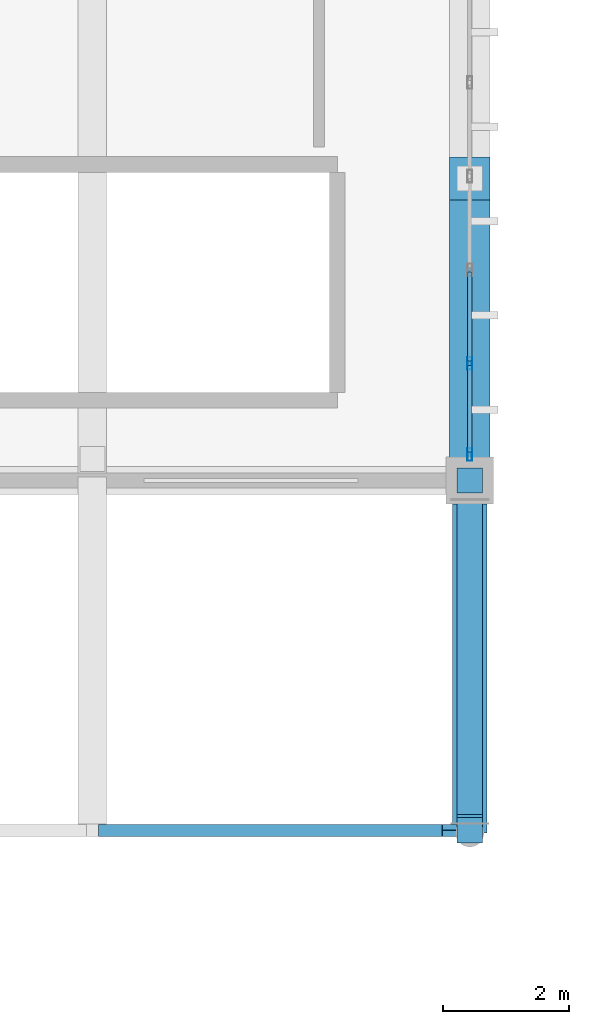
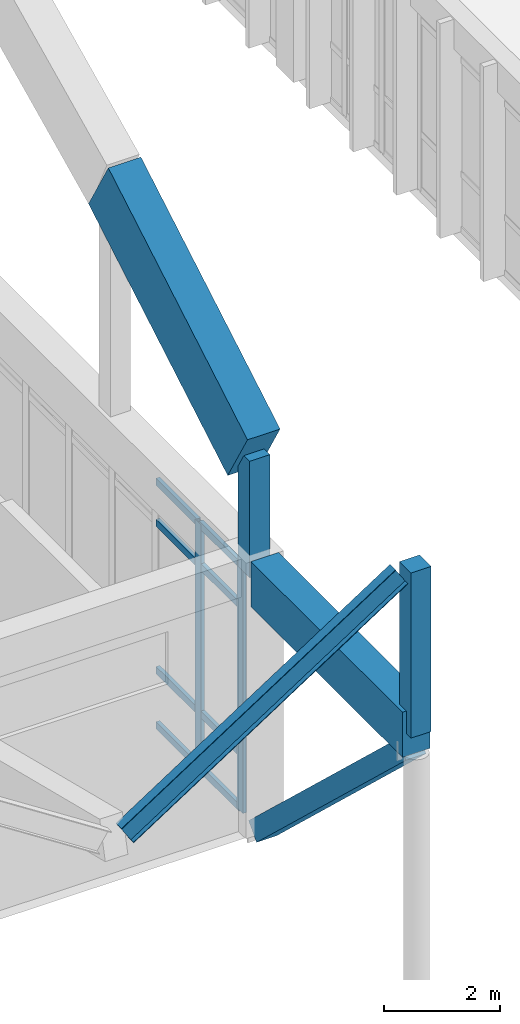
# One storey, part 116 of 236: 14 members, 2 beams, 1 element without a shape of its own.
"""IFC4 building model written with IfcOpenShell, lengths in metres."""

from ifc_helpers import new_model, si_unit, direction, frame, origin, origin_2d, place, context, subcontext, project, spatial, rectangle, hollow_rectangle, i_section, extrude, material, layer, layer_set, material_profile, profile_set, type_object, element, aggregate, save


model = new_model("IFC4")

# Units and contexts
model_context = context("Model", 3, precision=1e-05, world=origin(), true_north=direction((0.0, 1.0)))
body_context = subcontext(model_context, "Body", "Model", "MODEL_VIEW")
ifc_project = project(units=[si_unit("LENGTHUNIT", "METRE"), si_unit("AREAUNIT", "SQUARE_METRE"), si_unit("VOLUMEUNIT", "CUBIC_METRE"), si_unit("PLANEANGLEUNIT", "RADIAN"), si_unit("MASSUNIT", "GRAM", prefix="KILO")], contexts=[model_context])

# Site, building, storey
site_placement = place(None, origin())
site = spatial("IfcSite", under=ifc_project, at=site_placement, CompositionType="ELEMENT")
building_placement = place(site_placement, origin())
building = spatial("IfcBuilding", under=site, at=building_placement, Name="Pandanus Reach Market Hall", CompositionType="ELEMENT")
storey_placement = place(building_placement, frame((0.0, 0.0, 5.39990234375)))
storey = spatial("IfcBuildingStorey", under=building, at=storey_placement, Name="L01", CompositionType="ELEMENT", Elevation=5.39990234375)

# Members
ifc_material_1 = material(Name="Concrete N50 (50 MPa)", Category="concrete")
ifc_material_profile_1 = material_profile(ifc_material_1, rectangle(XDim=0.64990234375, YDim=1.35009765625, at=origin_2d()), Name="RC650x1350", Category="LoadBearing")
ifc_profile_set_1 = profile_set([ifc_material_profile_1], Name="Concrete N50 (50 MPa)")
member_type_1 = type_object("IfcMemberType", Name="AR-RC650-E", PredefinedType="CHORD", material=ifc_profile_set_1)
member_1_placement = place(storey_placement, frame((132.0, 28.800048828125, 7.780029296875), z_axis=(0.0, 0.862897305689, 0.505379302935), x_axis=(-1.0, 0.0, 0.0)))
element("IfcMember", 1, at=member_1_placement, inside=storey, type_object=member_type_1, Name="Parabolic arch top chord A8.1", PredefinedType="CHORD", context=body_context, shape_type="SweptSolid", body=[
    extrude(rectangle(XDim=0.64990234375, YDim=1.35009765625, at=origin_2d()), origin(), (0.0, 0.0, 1.0), 5.562744140625),
])
ifc_material_profile_2 = material_profile(ifc_material_1, rectangle(XDim=0.39990234375, YDim=0.39990234375, at=origin_2d()), Name="RC400x400", Category="LoadBearing")
ifc_profile_set_2 = profile_set([ifc_material_profile_2], Name="Concrete N50 (50 MPa)")
member_type_2 = type_object("IfcMemberType", Name="AR-WEB400-E", PredefinedType="STRUT", material=ifc_profile_set_2)
member_2_placement = place(storey_placement, frame((132.0, 28.800048828125, 5.3251953125), z_axis=(0.0, 0.0, 1.0), x_axis=(1.0, 0.0, 0.0)))
element("IfcMember", 2, at=member_2_placement, inside=storey, type_object=member_type_2, Name="Arch springing concrete strut A8.S", PredefinedType="STRUT", context=body_context, shape_type="SweptSolid", body=[
    extrude(rectangle(XDim=0.39990234375, YDim=0.39990234375, at=origin_2d()), origin(), (0.0, 0.0, 1.0), 2.454833984375),
])
member_3_placement = place(storey_placement, frame((132.0, 23.239990234375, 5.3251953125), z_axis=(0.0, 0.0, 1.0), x_axis=(1.0, 0.0, 0.0)))
element("IfcMember", 3, at=member_3_placement, inside=storey, type_object=member_type_2, Name="Zigzag eaves ridge post A8.S", PredefinedType="STRUT", context=body_context, shape_type="SweptSolid", body=[
    extrude(rectangle(XDim=0.39990234375, YDim=0.39990234375, at=origin_2d()), origin(), (0.0, 0.0, 1.0), 3.474853515625),
])

# Beams
ifc_material_profile_3 = material_profile(ifc_material_1, rectangle(XDim=0.550048828125, YDim=0.949951171875, at=origin_2d()), Name="RC550x950", Category="LoadBearing")
ifc_profile_set_3 = profile_set([ifc_material_profile_3], Name="Concrete N50 (50 MPa)")
beam_type_1 = type_object("IfcBeamType", Name="BM-RC550-E", PredefinedType="BEAM", material=ifc_profile_set_3)
beam_1_placement = place(storey_placement, frame((132.0, 23.199951171875, 5.3251953125), z_axis=(0.0, 1.0, 0.0), x_axis=(-1.0, 0.0, 0.0)))
element("IfcBeam", 4, at=beam_1_placement, inside=storey, type_object=beam_type_1, Name="Zigzag south eaves cantilever girder A8", PredefinedType="BEAM", context=body_context, shape_type="SweptSolid", body=[
    extrude(rectangle(XDim=0.550048828125, YDim=0.949951171875, at=origin_2d()), origin(), (0.0, 0.0, 1.0), 5.22998046875),
])
ifc_material_2 = material(Name="Steel Grade 350 (350 MPa)", Category="steel")
ifc_material_profile_4 = material_profile(ifc_material_2, i_section(OverallWidth=0.18994140625, OverallDepth=0.45703125, WebThickness=0.009033203125, FlangeThickness=0.014404296875, at=origin_2d()), Name="460UB74.6", Category="LoadBearing")
ifc_profile_set_4 = profile_set([ifc_material_profile_4], Name="Steel Grade 350 (350 MPa)")
beam_type_2 = type_object("IfcBeamType", Name="BM-UB460-E", PredefinedType="BEAM", material=ifc_profile_set_4)
beam_2_placement = place(storey_placement, frame((126.219970703125, 23.239990234375, 5.16015625), z_axis=(0.839070527962, 0.0, 0.544022654956), x_axis=(0.0, 1.0, 0.0)))
element("IfcBeam", 5, at=beam_2_placement, inside=storey, type_object=beam_type_2, Name="Butterfly south fringe rib B7.0R", PredefinedType="BEAM", context=body_context, shape_type="SweptSolid", body=[
    extrude(i_section(OverallWidth=0.18994140625, OverallDepth=0.45703125, WebThickness=0.009033203125, FlangeThickness=0.014404296875, at=origin_2d()), origin(), (0.0, 0.0, 1.0), 6.507080078125),
])

# Curtain wall, members
ifc_material_3 = material(Name="Bronze anodised aluminium and low-E glass", Category="aluminium")
ifc_layer = layer(ifc_material_3, 0.199951171875, Name="CW-04")
ifc_layer_set = layer_set([ifc_layer], Name="Bronze anodised aluminium and low-E glass")
curtain_wall_type = type_object("IfcCurtainWallType", Name="CW-04", PredefinedType="NOTDEFINED", material=ifc_layer_set)
curtain_wall_placement = place(storey_placement, origin())
curtain_wall = element("IfcCurtainWall", 6, at=curtain_wall_placement, inside=storey, type_object=curtain_wall_type, Name="Glazed curtain wall CW-04 CW-0021", PredefinedType="NOTDEFINED")
ifc_material_4 = material(Name="Bronze anodised aluminium", Category="aluminium")
ifc_material_profile_5 = material_profile(ifc_material_4, hollow_rectangle(XDim=0.074951171875, YDim=0.199951171875, WallThickness=0.00439453125, at=origin_2d()), Name="ALU75x200", Category="LoadBearing")
ifc_profile_set_5 = profile_set([ifc_material_profile_5], Name="Bronze anodised aluminium")
member_type_3 = type_object("IfcMemberType", Name="CW-M2", PredefinedType="MULLION", material=ifc_profile_set_5)
member_4_placement = place(storey_placement, frame((132.0, 29.21240234375, 0.0), z_axis=(0.0, 0.0, 1.0), x_axis=(-1.0, 0.0, 0.0)))
member_4 = element("IfcMember", 7, at=member_4_placement, type_object=member_type_3, Name="CW-04 mullion 1", PredefinedType="MULLION", context=body_context, shape_type="SweptSolid", body=[
    extrude(hollow_rectangle(XDim=0.074951171875, YDim=0.199951171875, WallThickness=0.00439453125, at=origin_2d()), origin(), (0.0, 0.0, 1.0), 5.2001953125),
])
member_5_placement = place(storey_placement, frame((132.0, 30.66259765625, 0.0), z_axis=(0.0, 0.0, 1.0), x_axis=(-1.0, 0.0, 0.0)))
member_5 = element("IfcMember", 8, at=member_5_placement, type_object=member_type_3, Name="CW-04 mullion 2", PredefinedType="MULLION", context=body_context, shape_type="SweptSolid", body=[
    extrude(hollow_rectangle(XDim=0.074951171875, YDim=0.199951171875, WallThickness=0.00439453125, at=origin_2d()), origin(), (0.0, 0.0, 1.0), 5.2001953125),
])
ifc_material_profile_6 = material_profile(ifc_material_4, hollow_rectangle(XDim=0.074951171875, YDim=0.14990234375, WallThickness=0.00439453125, at=origin_2d()), Name="ALU75x150", Category="LoadBearing")
ifc_profile_set_6 = profile_set([ifc_material_profile_6], Name="Bronze anodised aluminium")
member_type_4 = type_object("IfcMemberType", Name="CW-T2", PredefinedType="USERDEFINED", material=ifc_profile_set_6)
member_6_placement = place(storey_placement, frame((132.0, 29.25, 0.03759765625), z_axis=(0.0, 1.0, 0.0), x_axis=(-1.0, 0.0, 0.0)))
member_6 = element("IfcMember", 9, at=member_6_placement, type_object=member_type_4, Name="CW-04 transom 1.1", ObjectType="TRANSOM", PredefinedType="USERDEFINED", context=body_context, shape_type="SweptSolid", body=[
    extrude(hollow_rectangle(XDim=0.074951171875, YDim=0.14990234375, WallThickness=0.00439453125, at=origin_2d()), origin(), (0.0, 0.0, 1.0), 1.375),
])
member_7_placement = place(storey_placement, frame((132.0, 29.25, 1.2001953125), z_axis=(0.0, 1.0, 0.0), x_axis=(-1.0, 0.0, 0.0)))
member_7 = element("IfcMember", 10, at=member_7_placement, type_object=member_type_4, Name="CW-04 transom 1.2", ObjectType="TRANSOM", PredefinedType="USERDEFINED", context=body_context, shape_type="SweptSolid", body=[
    extrude(hollow_rectangle(XDim=0.074951171875, YDim=0.14990234375, WallThickness=0.00439453125, at=origin_2d()), origin(), (0.0, 0.0, 1.0), 1.375),
])
member_8_placement = place(storey_placement, frame((132.0, 29.25, 4.300048828125), z_axis=(0.0, 1.0, 0.0), x_axis=(-1.0, 0.0, 0.0)))
member_8 = element("IfcMember", 11, at=member_8_placement, type_object=member_type_4, Name="CW-04 transom 1.3", ObjectType="TRANSOM", PredefinedType="USERDEFINED", context=body_context, shape_type="SweptSolid", body=[
    extrude(hollow_rectangle(XDim=0.074951171875, YDim=0.14990234375, WallThickness=0.00439453125, at=origin_2d()), origin(), (0.0, 0.0, 1.0), 1.375),
])
member_9_placement = place(storey_placement, frame((132.0, 29.25, 5.16259765625), z_axis=(0.0, 1.0, 0.0), x_axis=(-1.0, 0.0, 0.0)))
member_9 = element("IfcMember", 12, at=member_9_placement, type_object=member_type_4, Name="CW-04 transom 1.4", ObjectType="TRANSOM", PredefinedType="USERDEFINED", context=body_context, shape_type="SweptSolid", body=[
    extrude(hollow_rectangle(XDim=0.074951171875, YDim=0.14990234375, WallThickness=0.00439453125, at=origin_2d()), origin(), (0.0, 0.0, 1.0), 1.375),
])
member_10_placement = place(storey_placement, frame((132.0, 30.699951171875, 0.03759765625), z_axis=(0.0, 1.0, 0.0), x_axis=(-1.0, 0.0, 0.0)))
member_10 = element("IfcMember", 13, at=member_10_placement, type_object=member_type_4, Name="CW-04 transom 2.1", ObjectType="TRANSOM", PredefinedType="USERDEFINED", context=body_context, shape_type="SweptSolid", body=[
    extrude(hollow_rectangle(XDim=0.074951171875, YDim=0.14990234375, WallThickness=0.00439453125, at=origin_2d()), origin(), (0.0, 0.0, 1.0), 1.41259765625),
])
member_11_placement = place(storey_placement, frame((132.0, 30.699951171875, 1.2001953125), z_axis=(0.0, 1.0, 0.0), x_axis=(-1.0, 0.0, 0.0)))
member_11 = element("IfcMember", 14, at=member_11_placement, type_object=member_type_4, Name="CW-04 transom 2.2", ObjectType="TRANSOM", PredefinedType="USERDEFINED", context=body_context, shape_type="SweptSolid", body=[
    extrude(hollow_rectangle(XDim=0.074951171875, YDim=0.14990234375, WallThickness=0.00439453125, at=origin_2d()), origin(), (0.0, 0.0, 1.0), 1.41259765625),
])
member_12_placement = place(storey_placement, frame((132.0, 30.699951171875, 4.300048828125), z_axis=(0.0, 1.0, 0.0), x_axis=(-1.0, 0.0, 0.0)))
member_12 = element("IfcMember", 15, at=member_12_placement, type_object=member_type_4, Name="CW-04 transom 2.3", ObjectType="TRANSOM", PredefinedType="USERDEFINED", context=body_context, shape_type="SweptSolid", body=[
    extrude(hollow_rectangle(XDim=0.074951171875, YDim=0.14990234375, WallThickness=0.00439453125, at=origin_2d()), origin(), (0.0, 0.0, 1.0), 1.41259765625),
])
member_13_placement = place(storey_placement, frame((132.0, 30.699951171875, 5.16259765625), z_axis=(0.0, 1.0, 0.0), x_axis=(-1.0, 0.0, 0.0)))
member_13 = element("IfcMember", 16, at=member_13_placement, type_object=member_type_4, Name="CW-04 transom 2.4", ObjectType="TRANSOM", PredefinedType="USERDEFINED", context=body_context, shape_type="SweptSolid", body=[
    extrude(hollow_rectangle(XDim=0.074951171875, YDim=0.14990234375, WallThickness=0.00439453125, at=origin_2d()), origin(), (0.0, 0.0, 1.0), 1.41259765625),
])
aggregate(curtain_wall, [member_4, member_5, member_6, member_7, member_8, member_9, member_10, member_11, member_12, member_13])

# Member
ifc_material_profile_7 = material_profile(ifc_material_1, rectangle(XDim=0.39990234375, YDim=0.39990234375, at=origin_2d()), Name="RC400x400", Category="LoadBearing")
ifc_profile_set_7 = profile_set([ifc_material_profile_7], Name="Concrete N50 (50 MPa)")
member_type_5 = type_object("IfcMemberType", Name="VS-RC400-E", PredefinedType="STRUT", material=ifc_profile_set_7)
member_14_placement = place(storey_placement, frame((132.0, 28.5, 0.050048828125), z_axis=(0.0, -0.72797908325, 0.68559933952), x_axis=(1.0, 0.0, 0.0)))
element("IfcMember", 17, at=member_14_placement, inside=storey, type_object=member_type_5, Name="Splayed concrete south arcade V-strut A8.1", PredefinedType="STRUT", context=body_context, shape_type="SweptSolid", body=[
    extrude(rectangle(XDim=0.39990234375, YDim=0.39990234375, at=origin_2d()), origin(), (0.0, 0.0, 1.0), 7.07421875),
])

save(model, "model.ifc")
